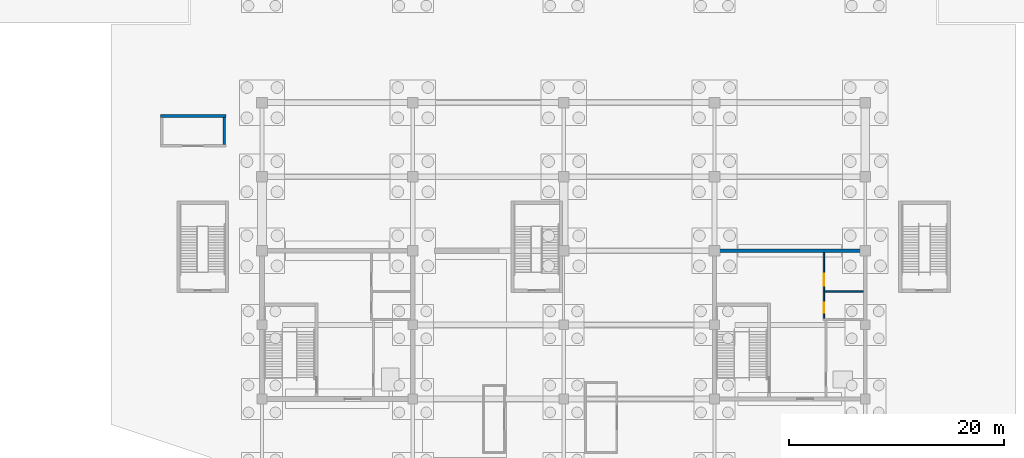
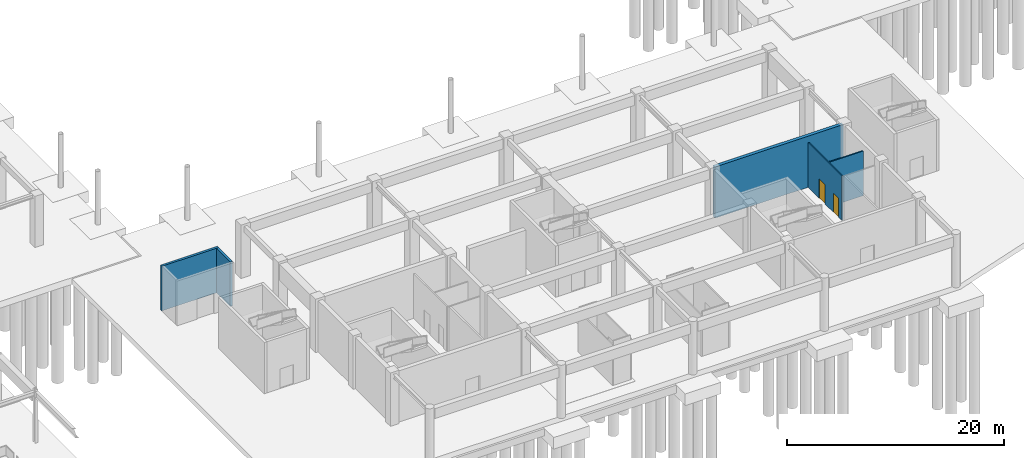
# One storey, part 40 of 62: 5 walls, 2 doors, 2 openings.
"""IFC4 building model written with IfcOpenShell, lengths in metres."""

from ifc_helpers import new_model, si_unit, direction, frame, frame_2d, origin, place, context, subcontext, project, spatial, rectangle, extrude, material, layer, layer_set, type_object, element, fill, save


model = new_model("IFC4")

# Units and contexts
model_context = context("Model", 3, precision=1e-05, world=origin(), true_north=direction((0.0, 1.0)))
body_context = subcontext(model_context, "Body", "Model", "MODEL_VIEW")
ifc_project = project(units=[si_unit("LENGTHUNIT", "METRE"), si_unit("AREAUNIT", "SQUARE_METRE"), si_unit("VOLUMEUNIT", "CUBIC_METRE"), si_unit("PLANEANGLEUNIT", "RADIAN"), si_unit("MASSUNIT", "GRAM", prefix="KILO")], contexts=[model_context])

# Site, building, storey
site_placement = place(None, origin())
site = spatial("IfcSite", under=ifc_project, at=site_placement, CompositionType="ELEMENT")
building_placement = place(site_placement, origin())
building = spatial("IfcBuilding", under=site, at=building_placement, Name="Linyun Crest Stadium", CompositionType="ELEMENT")
storey_placement = place(building_placement, frame((0.0, 0.0, -6.0)))
storey = spatial("IfcBuildingStorey", under=building, at=storey_placement, Name="B1", CompositionType="ELEMENT", Elevation=-6.0)

# Wall
ifc_material_1 = material(Name="Concrete C50", Category="concrete")
ifc_layer_1 = layer(ifc_material_1, 0.35009765625)
ifc_layer_set_1 = layer_set([ifc_layer_1], Name="Concrete C50")
wall_type_1 = type_object("IfcWallType", Name="CW01", PredefinedType="SHEAR", material=ifc_layer_set_1)
wall_1_placement = place(storey_placement, frame((14.175048828125, -73.5, 0.0), z_axis=(0.0, 0.0, 1.0), x_axis=(1.0, 0.0, 0.0)))
element("IfcWall", 1, at=wall_1_placement, inside=storey, type_object=wall_type_1, Name="Core shear wall CW01 CORE-S2 B1.4", PredefinedType="SHEAR", context=body_context, shape_type="SweptSolid", body=[
    extrude(rectangle(XDim=13.64990234375, YDim=0.35009765625, at=frame_2d((6.824951171875, 0.0))), origin(), (0.0, 0.0, 1.0), 5.75),
])

# Wall, openings, doors
ifc_material_2 = material(Name="Moisture-resistant ceramic-tiled wet-room wall")
ifc_layer_2 = layer(ifc_material_2, 0.139892578125)
ifc_layer_set_2 = layer_set([ifc_layer_2], Name="Moisture-resistant ceramic-tiled wet-room wall")
wall_type_2 = type_object("IfcWallType", Name="PW15", PredefinedType="PARTITIONING", material=ifc_layer_set_2)
wall_2_placement = place(storey_placement, frame((24.14990234375, -79.830078125, 0.0), z_axis=(0.0, 0.0, 1.0), x_axis=(0.0, 1.0, 0.0)))
wall_2 = element("IfcWall", 2, at=wall_2_placement, inside=storey, type_object=wall_type_2, Name="Partition PW15 B1 122", PredefinedType="PARTITIONING", context=body_context, shape_type="SweptSolid", body=[
    extrude(rectangle(XDim=6.155029296875, YDim=0.139892578125, at=frame_2d((3.07763671875, 0.0))), origin(), (0.0, 0.0, 1.0), 5.02001953125),
])
opening_1_placement = place(wall_2_placement, frame((0.580078125, 0.0, 0.0)))
opening_1 = element("IfcOpeningElement", 3, at=opening_1_placement, cuts=wall_2, Name="Opening D-B1-344", PredefinedType="OPENING", context=body_context, shape_type="SweptSolid", body=[
    extrude(rectangle(XDim=0.949951171875, YDim=2.14990234375, at=frame_2d((0.47509765625, 1.074951171875))), frame((0.0, 0.079833984375, 0.0), z_axis=(0.0, -1.0, 0.0), x_axis=(1.0, 0.0, 0.0)), (0.0, 0.0, 1.0), 0.159912109375),
])
opening_2_placement = place(wall_2_placement, frame((3.080078125, 0.0, 0.0)))
opening_2 = element("IfcOpeningElement", 4, at=opening_2_placement, cuts=wall_2, Name="Opening D-B1-345", PredefinedType="OPENING", context=body_context, shape_type="SweptSolid", body=[
    extrude(rectangle(XDim=1.10009765625, YDim=2.14990234375, at=frame_2d((0.550048828125, 1.074951171875))), frame((0.0, 0.079833984375, 0.0), z_axis=(0.0, -1.0, 0.0), x_axis=(1.0, 0.0, 0.0)), (0.0, 0.0, 1.0), 0.159912109375),
])
ifc_material_3 = material(Name="Moisture-resistant laminate leaf")
ifc_layer_3 = layer(ifc_material_3, 0.044921875)
ifc_layer_set_3 = layer_set([ifc_layer_3], Name="Moisture-resistant laminate leaf")
door_type_1 = type_object("IfcDoorType", Name="ID02", OperationType="NOTDEFINED", PredefinedType="DOOR", material=ifc_layer_set_3)
door_1_placement = place(opening_1_placement, origin())
door_1 = element("IfcDoor", 5, at=door_1_placement, inside=storey, type_object=door_type_1, Name="Door D-B1-344", OperationType="SINGLE_SWING_RIGHT", OverallHeight=2.14990234375, OverallWidth=0.949951171875, PredefinedType="DOOR", context=body_context, shape_type="SweptSolid", body=[
    extrude(rectangle(XDim=0.949951171875, YDim=2.14990234375, at=frame_2d((0.47509765625, 1.074951171875))), frame((0.0, 0.02490234375, 0.0), z_axis=(0.0, -1.0, 0.0), x_axis=(1.0, 0.0, 0.0)), (0.0, 0.0, 1.0), 0.050048828125),
])
fill(opening_1, door_1)
ifc_material_4 = material(Name="Moisture-resistant laminate leaf")
ifc_layer_4 = layer(ifc_material_4, 0.044921875)
ifc_layer_set_4 = layer_set([ifc_layer_4], Name="Moisture-resistant laminate leaf")
door_type_2 = type_object("IfcDoorType", Name="ID03", OperationType="NOTDEFINED", PredefinedType="DOOR", material=ifc_layer_set_4)
door_2_placement = place(opening_2_placement, origin())
door_2 = element("IfcDoor", 6, at=door_2_placement, inside=storey, type_object=door_type_2, Name="Door D-B1-345", OperationType="SINGLE_SWING_LEFT", OverallHeight=2.14990234375, OverallWidth=1.10009765625, PredefinedType="DOOR", context=body_context, shape_type="SweptSolid", body=[
    extrude(rectangle(XDim=1.10009765625, YDim=2.14990234375, at=frame_2d((0.550048828125, 1.074951171875))), frame((0.0, 0.02490234375, 0.0), z_axis=(0.0, -1.0, 0.0), x_axis=(1.0, 0.0, 0.0)), (0.0, 0.0, 1.0), 0.050048828125),
])
fill(opening_2, door_2)

# Walls
wall_3_placement = place(storey_placement, frame((24.219970703125, -77.300048828125, 0.0), z_axis=(0.0, 0.0, 1.0), x_axis=(1.0, 0.0, 0.0)))
element("IfcWall", 7, at=wall_3_placement, inside=storey, type_object=wall_type_2, Name="Enclosure partition PW15 B1 114", PredefinedType="PARTITIONING", context=body_context, shape_type="SweptSolid", body=[
    extrude(rectangle(XDim=3.60498046875, YDim=0.139892578125, at=frame_2d((1.802490234375, 0.0))), origin(), (0.0, 0.0, 1.0), 5.02001953125),
])
ifc_material_5 = material(Name="Plant room acoustic masonry partition", Category="masonry")
ifc_layer_5 = layer(ifc_material_5, 0.2451171875)
ifc_layer_set_5 = layer_set([ifc_layer_5], Name="Plant room acoustic masonry partition")
wall_type_3 = type_object("IfcWallType", Name="PW20", PredefinedType="PARTITIONING", material=ifc_layer_set_5)
wall_4_placement = place(storey_placement, frame((-37.410888671875, -60.98388671875, 0.0), z_axis=(0.0, 0.0, 1.0), x_axis=(1.0, 0.0, 0.0)))
element("IfcWall", 8, at=wall_4_placement, inside=storey, type_object=wall_type_3, Name="Enclosure partition PW20 B1 175", PredefinedType="PARTITIONING", context=body_context, shape_type="SweptSolid", body=[
    extrude(rectangle(XDim=6.0498046875, YDim=0.2451171875, at=frame_2d((3.02490234375, 0.0))), origin(), (0.0, 0.0, 1.0), 5.02001953125),
])
wall_5_placement = place(storey_placement, frame((-31.48388671875, -63.64111328125, 0.0), z_axis=(0.0, 0.0, 1.0), x_axis=(0.0, 1.0, 0.0)))
element("IfcWall", 9, at=wall_5_placement, inside=storey, type_object=wall_type_3, Name="Enclosure partition PW20 B1 177", PredefinedType="PARTITIONING", context=body_context, shape_type="SweptSolid", body=[
    extrude(rectangle(XDim=2.5341796875, YDim=0.2451171875, at=frame_2d((1.26708984375, 0.0))), origin(), (0.0, 0.0, 1.0), 5.02001953125),
])

save(model, "model.ifc")
